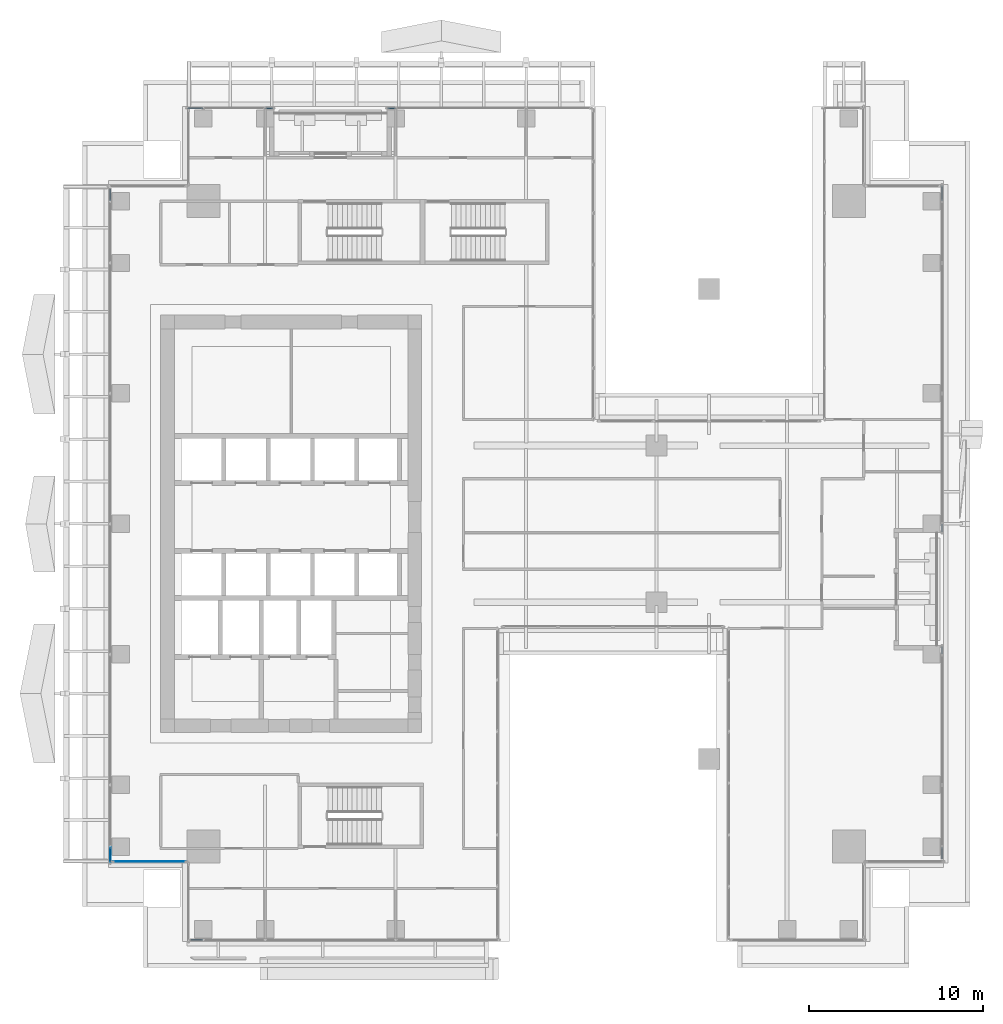
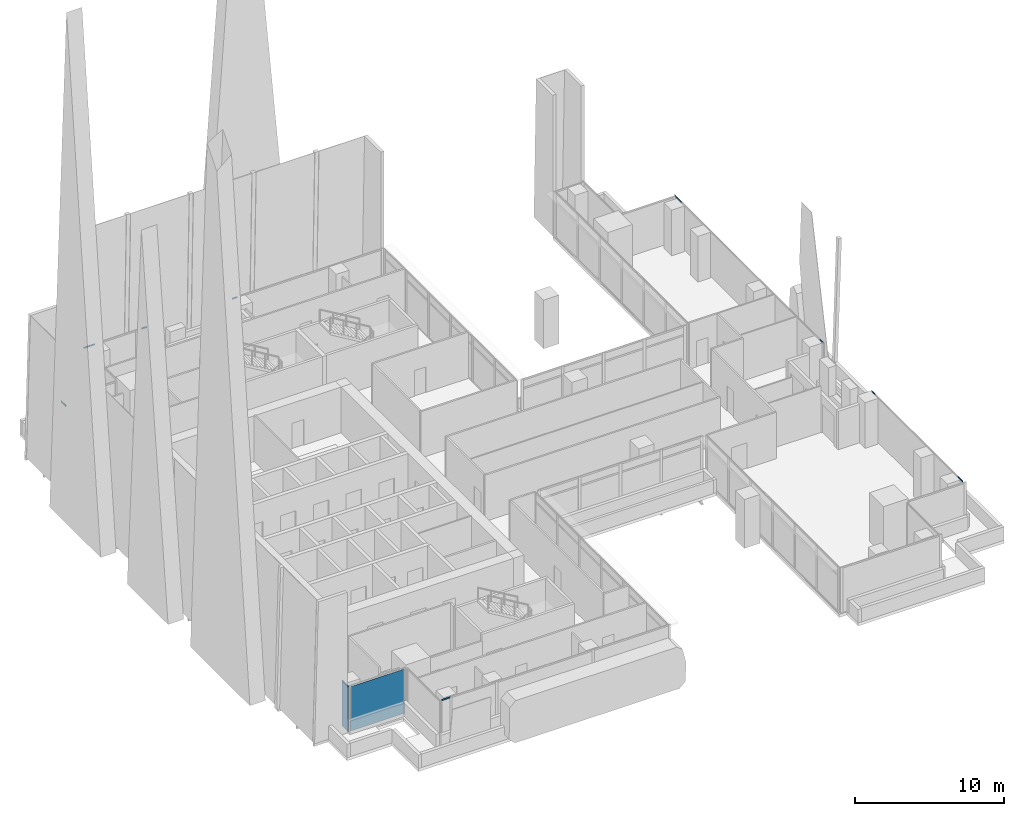
# One storey, part 27 of 43: 10 members, 2 plates, 7 elements without a shape of their own.
"""IFC4 building model written with IfcOpenShell, lengths in metres."""

import ifcopenshell
import ifcopenshell.guid

model = None  # the IFC model being written
_history = None  # IfcOwnerHistory: only IFC2X3 demands one
_inside = {}  # id of a spatial element -> (the spatial element, [elements in it])
_under = {}  # id of a project, library or spatial element -> (it, [spatial elements below it])
_declared = {}  # id of a project -> (the project, [libraries it declares])
_typed = {}  # id of a type object -> (the type object, [elements of that type])
_made_of = {}  # id of a material, layer set ... -> (it, [elements and type objects made of it])


def new_model(schema):
    """Start an empty IFC model of exactly this schema.

    Asked for "IFC4X3", IfcOpenShell would pick the latest addendum, in which some entities
    have other attributes; the version numbers below select the first issue.
    IFC2X3 requires an IfcOwnerHistory on every rooted entity: one is made here for all.
    """
    global model, _history
    if schema == "IFC4X3":
        model = ifcopenshell.file(schema_version=(4, 3, 0, 0))
    else:
        model = ifcopenshell.file(schema=schema)
    _inside.clear()
    _under.clear()
    _declared.clear()
    _typed.clear()
    _made_of.clear()
    _history = None
    if model.schema == "IFC2X3":
        org = make("IfcOrganization", Name="unknown")
        user = make(
            "IfcPersonAndOrganization",
            ThePerson=make("IfcPerson", FamilyName="unknown"),
            TheOrganization=org,
        )
        app = make(
            "IfcApplication",
            ApplicationDeveloper=org,
            Version="unknown",
            ApplicationFullName="unknown",
            ApplicationIdentifier="unknown",
        )
        _history = make(
            "IfcOwnerHistory",
            OwningUser=user,
            OwningApplication=app,
            ChangeAction="ADDED",
            CreationDate=0,
        )
    return model


def make(cls, **values):
    """One entity of the class cls with the attributes given. An attribute that is None is left unset."""
    return model.create_entity(
        cls, **{name: value for name, value in values.items() if value is not None}
    )


def rooted(cls, **values):
    """An entity with a GlobalId (a new one), such as an element, a storey or a relation."""
    return make(cls, GlobalId=ifcopenshell.guid.new(), OwnerHistory=_history, **values)


def si_unit(unit_type, name, prefix=None):
    """IfcSIUnit, for example si_unit("LENGTHUNIT", "METRE", prefix="MILLI")."""
    return make("IfcSIUnit", UnitType=unit_type, Prefix=prefix, Name=name)


def assignment(units):
    """IfcUnitAssignment: the units of a project."""
    return None if units is None else make("IfcUnitAssignment", Units=units)


def point(xyz):
    """IfcCartesianPoint."""
    return None if xyz is None else make("IfcCartesianPoint", Coordinates=xyz)


def direction(xyz):
    """IfcDirection."""
    return None if xyz is None else make("IfcDirection", DirectionRatios=xyz)


def frame(location, z_axis=None, x_axis=None):
    """IfcAxis2Placement3D, a coordinate frame: its origin and axes. An axis left out is left unset."""
    return make(
        "IfcAxis2Placement3D",
        Location=point(location),
        Axis=direction(z_axis),
        RefDirection=direction(x_axis),
    )


def frame_2d(location, x_axis=None):
    """IfcAxis2Placement2D, a coordinate frame in the plane: its origin and x axis."""
    return make(
        "IfcAxis2Placement2D", Location=point(location), RefDirection=direction(x_axis)
    )


def origin():
    """The frame at (0, 0, 0) with its axes left unset."""
    return frame((0.0, 0.0, 0.0))


def origin_2d():
    """The frame at (0, 0) in the plane with its x axis left unset."""
    return frame_2d((0.0, 0.0))


def place(relative_to, where):
    """IfcLocalPlacement: puts the frame where relative to a parent placement (None: the world)."""
    return make(
        "IfcLocalPlacement", PlacementRelTo=relative_to, RelativePlacement=where
    )


def context(
    kind, dimensions, precision=None, world=None, true_north=None, identifier=None
):
    """IfcGeometricRepresentationContext, for example the 3D "Model" context."""
    return make(
        "IfcGeometricRepresentationContext",
        ContextIdentifier=identifier,
        ContextType=kind,
        CoordinateSpaceDimension=dimensions,
        Precision=precision,
        WorldCoordinateSystem=world,
        TrueNorth=true_north,
    )


def subcontext(parent, identifier, kind, view, scale=None):
    """IfcGeometricRepresentationSubContext, for example "Body" below "Model"."""
    return make(
        "IfcGeometricRepresentationSubContext",
        ContextIdentifier=identifier,
        ContextType=kind,
        ParentContext=parent,
        TargetScale=scale,
        TargetView=view,
    )


def project(units=None, contexts=None):
    """IfcProject with its units and contexts."""
    return rooted(
        "IfcProject",
        Name="project",
        RepresentationContexts=contexts,
        UnitsInContext=assignment(units),
    )


def spatial(cls, under=None, at=None, **own):
    """A site, building, storey or space (cls), placed at a placement, below another one or the project."""
    s = rooted(cls, ObjectPlacement=at, **own)
    if under is not None:
        _under.setdefault(under.id(), (under, []))[1].append(s)
    return s


def profile(cls, at=None, kind="AREA", **sizes):
    """A parametric profile (cls). Its sizes go by their IFC names, for example OverallWidth=200.0."""
    return make(cls, ProfileType=kind, Position=at, **sizes)


def rectangle(**sizes):
    """IfcRectangleProfileDef."""
    return profile("IfcRectangleProfileDef", **sizes)


def hollow_rectangle(**sizes):
    """IfcRectangleHollowProfileDef."""
    return profile("IfcRectangleHollowProfileDef", **sizes)


def extrude(swept, where, along, depth):
    """IfcExtrudedAreaSolid: the profile swept, set in the frame where, extruded along a direction by depth."""
    return make(
        "IfcExtrudedAreaSolid",
        SweptArea=swept,
        Position=where,
        ExtrudedDirection=direction(along),
        Depth=depth,
    )


def shape(context_of_items, identifier, shape_type, items):
    """IfcShapeRepresentation: the items that make up one representation, for example the "Body"."""
    return make(
        "IfcShapeRepresentation",
        ContextOfItems=context_of_items,
        RepresentationIdentifier=identifier,
        RepresentationType=shape_type,
        Items=items,
    )


def source(mapping_origin, context_of_items, identifier, shape_type, items):
    """IfcRepresentationMap: a shape defined once, which mapped items show again and again."""
    return make(
        "IfcRepresentationMap",
        MappingOrigin=mapping_origin,
        MappedRepresentation=shape(context_of_items, identifier, shape_type, items),
    )


def transform(
    local_origin,
    x_axis=None,
    y_axis=None,
    z_axis=None,
    scale=None,
    scale2=None,
    scale3=None,
    uniform=True,
):
    """IfcCartesianTransformationOperator3D, or its non-uniform kind. x_axis, y_axis, z_axis: its Axis1, 2, 3."""
    if uniform:
        return make(
            "IfcCartesianTransformationOperator3D",
            Axis1=direction(x_axis),
            Axis2=direction(y_axis),
            LocalOrigin=point(local_origin),
            Scale=scale,
            Axis3=direction(z_axis),
        )
    return make(
        "IfcCartesianTransformationOperator3DnonUniform",
        Axis1=direction(x_axis),
        Axis2=direction(y_axis),
        LocalOrigin=point(local_origin),
        Scale=scale,
        Axis3=direction(z_axis),
        Scale2=scale2,
        Scale3=scale3,
    )


def mapped(mapping_source, mapping_target):
    """IfcMappedItem: shows the shape of a source again, moved by a transform."""
    return make(
        "IfcMappedItem", MappingSource=mapping_source, MappingTarget=mapping_target
    )


def material(Name=None, Category=None):
    """IfcMaterial."""
    return make("IfcMaterial", Name=Name, Category=Category)


def layer(
    of_material, thickness, ventilated=None, Name=None, Category=None, Priority=None
):
    """IfcMaterialLayer: one layer of a wall or slab, of a material (None: an air gap)."""
    return make(
        "IfcMaterialLayer",
        Material=of_material,
        LayerThickness=thickness,
        IsVentilated=ventilated,
        Name=Name,
        Category=Category,
        Priority=Priority,
    )


def layer_set(layers, Name=None):
    """IfcMaterialLayerSet."""
    return make("IfcMaterialLayerSet", MaterialLayers=layers, LayerSetName=Name)


def material_profile(
    of_material, cross_section, Name=None, Category=None, Priority=None
):
    """IfcMaterialProfile: a cross section and its material."""
    return make(
        "IfcMaterialProfile",
        Name=Name,
        Material=of_material,
        Profile=cross_section,
        Priority=Priority,
        Category=Category,
    )


def profile_set(profiles, Name=None, composite=None):
    """IfcMaterialProfileSet."""
    return make(
        "IfcMaterialProfileSet",
        Name=Name,
        MaterialProfiles=profiles,
        CompositeProfile=composite,
    )


def made_of(thing, what):
    """Note that an element or type object is made of a material, layer set ...; save() writes the relation."""
    if what is not None:
        _made_of.setdefault(what.id(), (what, []))[1].append(thing)
    return thing


def type_object(cls, material=None, **own):
    """A type object (cls), such as IfcWallType, which elements share."""
    return made_of(rooted(cls, **own), material)


def element(
    cls,
    number,
    at=None,
    inside=None,
    cuts=None,
    type_object=None,
    material=None,
    context=None,
    identifier="Body",
    shape_type=None,
    held_by="IfcProductDefinitionShape",
    body=None,
    shapes=None,
    **own,
):
    """One element of the class cls, such as IfcWall. Its Tag is "e" and its number.

    at: its placement. inside: the storey or other place that contains it. cuts: it is an
    opening in that element (IfcRelVoidsElement). A single representation is given by context,
    identifier, shape_type and body (its items); several are given by shapes. held_by: the class
    of the entity that holds the representations. save() writes the other relations.
    """
    e = rooted(cls, Tag="e%d" % number, ObjectPlacement=at, **own)
    if body is not None:
        shapes = [shape(context, identifier, shape_type, body)]
    if shapes is not None:
        e.Representation = make(held_by, Representations=shapes)
    if inside is not None:
        _inside.setdefault(inside.id(), (inside, []))[1].append(e)
    if cuts is not None:
        rooted(
            "IfcRelVoidsElement", RelatingBuildingElement=cuts, RelatedOpeningElement=e
        )
    if type_object is not None:
        _typed.setdefault(type_object.id(), (type_object, []))[1].append(e)
    return made_of(e, material)


def aggregate(whole, parts):
    """IfcRelAggregates: a whole, such as a stair, and the parts it consists of."""
    return rooted("IfcRelAggregates", RelatingObject=whole, RelatedObjects=parts)


def save(model, path):
    """Write the relations noted so far, then the file.

    IfcRelAggregates (storeys below a building ...), IfcRelContainedInSpatialStructure (elements
    in a storey), IfcRelDefinesByType, IfcRelAssociatesMaterial and IfcRelDeclares: one each for
    every whole, place, type object, material and project.
    """
    for whole, parts in _under.values():
        aggregate(whole, parts)
    for where, things in _inside.values():
        rooted(
            "IfcRelContainedInSpatialStructure",
            RelatedElements=things,
            RelatingStructure=where,
        )
    for kind, things in _typed.values():
        rooted("IfcRelDefinesByType", RelatedObjects=things, RelatingType=kind)
    for what, things in _made_of.values():
        rooted("IfcRelAssociatesMaterial", RelatedObjects=things, RelatingMaterial=what)
    for by, libraries in _declared.values():
        rooted("IfcRelDeclares", RelatingContext=by, RelatedDefinitions=libraries)
    model.write(path)


model = new_model("IFC4")

# Units and contexts
model_context = context("Model", 3, precision=1e-05, world=origin(), true_north=direction((0.0, 1.0)))
body_context = subcontext(model_context, "Body", "Model", "MODEL_VIEW")
ifc_project = project(units=[si_unit("LENGTHUNIT", "METRE"), si_unit("AREAUNIT", "SQUARE_METRE"), si_unit("VOLUMEUNIT", "CUBIC_METRE"), si_unit("PLANEANGLEUNIT", "RADIAN"), si_unit("MASSUNIT", "GRAM", prefix="KILO")], contexts=[model_context])

# Site, building, storey
site_placement = place(None, origin())
site = spatial("IfcSite", under=ifc_project, at=site_placement, CompositionType="ELEMENT")
building_placement = place(site_placement, origin())
building = spatial("IfcBuilding", under=site, at=building_placement, Name="Khomas Fold Tower", CompositionType="ELEMENT")
storey_placement = place(building_placement, frame((0.0, 0.0, 164.699951171875)))
storey = spatial("IfcBuildingStorey", under=building, at=storey_placement, Name="L35", CompositionType="ELEMENT", Elevation=164.699951171875)

# Curtain wall, member
ifc_material_1 = material(Name="Aluminium framed double glazing", Category="aluminium")
curtain_wall_type = type_object("IfcCurtainWallType", Name="SK-Unitised clear-glass wall, office floors CW2", PredefinedType="NOTDEFINED", material=ifc_material_1)
curtain_wall_1_placement = place(storey_placement, origin())
curtain_wall_1 = element("IfcCurtainWall", 1, at=curtain_wall_1_placement, inside=storey, type_object=curtain_wall_type, Name="CW2 run L35 01-0", PredefinedType="NOTDEFINED")
ifc_material_2 = material(Name="Aluminium", Category="aluminium")
ifc_material_profile = material_profile(ifc_material_2, hollow_rectangle(XDim=0.050048828125, YDim=0.110107421875, WallThickness=0.00390625, at=origin_2d()), Name="SK-Unitised clear-glass wall, office floors transom CW2-T")
ifc_profile_set = profile_set([ifc_material_profile], Name="Aluminium")
member_type = type_object("IfcMemberType", Name="SK-Unitised clear-glass wall, office floors transom CW2-T", PredefinedType="USERDEFINED", material=ifc_profile_set)
shared_shape_1 = source(origin(), body_context, "Body", "SweptSolid", [
    extrude(hollow_rectangle(XDim=0.050048828125, YDim=0.110107421875, WallThickness=0.00390625, at=origin_2d()), origin(), (0.0, 0.0, 1.0), 0.659912109375),
])
member_1_placement = place(storey_placement, frame((7.760009765625, 3.10009765625, 3.695068359375), z_axis=(1.0, 0.0, 0.0), x_axis=(0.0, 1.0, 0.0)))
member_1 = element("IfcMember", 2, at=member_1_placement, type_object=member_type, Name="CW2 transom 1", ObjectType="TRANSOM", PredefinedType="USERDEFINED", context=body_context, shape_type="MappedRepresentation", body=[
    mapped(shared_shape_1, transform((0.0, 0.0, 0.0))),
])
aggregate(curtain_wall_1, [member_1])

curtain_wall_2_placement = place(storey_placement, origin())
curtain_wall_2 = element("IfcCurtainWall", 3, at=curtain_wall_2_placement, inside=storey, type_object=curtain_wall_type, Name="CW2 run L35 08-0", PredefinedType="NOTDEFINED")
member_2_placement = place(storey_placement, frame((50.89990234375, 7.760009765625, 3.695068359375), z_axis=(0.0, 1.0, 0.0), x_axis=(-1.0, 0.0, 0.0)))
member_2 = element("IfcMember", 4, at=member_2_placement, type_object=member_type, Name="CW2 transom 1", ObjectType="TRANSOM", PredefinedType="USERDEFINED", context=body_context, shape_type="MappedRepresentation", body=[
    mapped(shared_shape_1, transform((0.0, 0.0, 0.0))),
])

curtain_wall_3_placement = place(storey_placement, origin())
curtain_wall_3 = element("IfcCurtainWall", 5, at=curtain_wall_3_placement, inside=storey, type_object=curtain_wall_type, Name="CW2 run L35 18-0", PredefinedType="NOTDEFINED")
member_3_placement = place(storey_placement, frame((3.10009765625, 46.239990234375, 3.695068359375), z_axis=(0.0, -1.0, 0.0), x_axis=(1.0, 0.0, 0.0)))
member_3 = element("IfcMember", 6, at=member_3_placement, type_object=member_type, Name="CW2 transom 1", ObjectType="TRANSOM", PredefinedType="USERDEFINED", context=body_context, shape_type="MappedRepresentation", body=[
    mapped(shared_shape_1, transform((0.0, 0.0, 0.0))),
])

# Member
shared_shape_2 = source(origin(), body_context, "Body", "SweptSolid", [
    extrude(hollow_rectangle(XDim=0.050048828125, YDim=0.110107421875, WallThickness=0.00390625, at=origin_2d()), origin(), (0.0, 0.0, 1.0), 0.409912109375),
])
member_4_placement = place(storey_placement, frame((50.89990234375, 19.530029296875, 3.695068359375), z_axis=(0.0, 1.0, 0.0), x_axis=(-1.0, 0.0, 0.0)))
member_4 = element("IfcMember", 7, at=member_4_placement, type_object=member_type, Name="CW2 transom 4", ObjectType="TRANSOM", PredefinedType="USERDEFINED", context=body_context, shape_type="MappedRepresentation", body=[
    mapped(shared_shape_2, transform((0.0, 0.0, 0.0))),
])

aggregate(curtain_wall_2, [member_2, member_4])

# Curtain wall, member
curtain_wall_4_placement = place(storey_placement, origin())
curtain_wall_4 = element("IfcCurtainWall", 8, at=curtain_wall_4_placement, inside=storey, type_object=curtain_wall_type, Name="CW2 run L35 08-1", PredefinedType="NOTDEFINED")
member_5_placement = place(storey_placement, frame((50.89990234375, 26.56005859375, 3.695068359375), z_axis=(0.0, 1.0, 0.0), x_axis=(-1.0, 0.0, 0.0)))
member_5 = element("IfcMember", 9, at=member_5_placement, type_object=member_type, Name="CW2 transom 1", ObjectType="TRANSOM", PredefinedType="USERDEFINED", context=body_context, shape_type="MappedRepresentation", body=[
    mapped(shared_shape_2, transform((0.0, 0.0, 0.0))),
])

curtain_wall_5_placement = place(storey_placement, origin())
curtain_wall_5 = element("IfcCurtainWall", 10, at=curtain_wall_5_placement, inside=storey, type_object=curtain_wall_type, Name="CW2 run L35 15-0", PredefinedType="NOTDEFINED")
member_6_placement = place(storey_placement, frame((19.469970703125, 50.89990234375, 3.695068359375), z_axis=(-1.0, 0.0, 0.0), x_axis=(0.0, -1.0, 0.0)))
member_6 = element("IfcMember", 11, at=member_6_placement, type_object=member_type, Name="CW2 transom 3", ObjectType="TRANSOM", PredefinedType="USERDEFINED", context=body_context, shape_type="MappedRepresentation", body=[
    mapped(shared_shape_2, transform((0.0, 0.0, 0.0))),
])
aggregate(curtain_wall_5, [member_6])

curtain_wall_6_placement = place(storey_placement, origin())
curtain_wall_6 = element("IfcCurtainWall", 12, at=curtain_wall_6_placement, inside=storey, type_object=curtain_wall_type, Name="CW2 run L35 15-1", PredefinedType="NOTDEFINED")
member_7_placement = place(storey_placement, frame((12.43994140625, 50.89990234375, 3.695068359375), z_axis=(-1.0, 0.0, 0.0), x_axis=(0.0, -1.0, 0.0)))
member_7 = element("IfcMember", 13, at=member_7_placement, type_object=member_type, Name="CW2 transom 1", ObjectType="TRANSOM", PredefinedType="USERDEFINED", context=body_context, shape_type="MappedRepresentation", body=[
    mapped(shared_shape_2, transform((0.0, 0.0, 0.0))),
])

# Member
shared_shape_3 = source(origin(), body_context, "Body", "SweptSolid", [
    extrude(hollow_rectangle(XDim=0.050048828125, YDim=0.110107421875, WallThickness=0.00390625, at=origin_2d()), origin(), (0.0, 0.0, 1.0), 0.85986328125),
])
member_8_placement = place(storey_placement, frame((50.89990234375, 45.580078125, 3.695068359375), z_axis=(0.0, 1.0, 0.0), x_axis=(-1.0, 0.0, 0.0)))
member_8 = element("IfcMember", 14, at=member_8_placement, type_object=member_type, Name="CW2 transom 5", ObjectType="TRANSOM", PredefinedType="USERDEFINED", context=body_context, shape_type="MappedRepresentation", body=[
    mapped(shared_shape_3, transform((0.0, 0.0, 0.0))),
])

aggregate(curtain_wall_4, [member_5, member_8])

member_9_placement = place(storey_placement, frame((8.419921875, 50.89990234375, 3.695068359375), z_axis=(-1.0, 0.0, 0.0), x_axis=(0.0, -1.0, 0.0)))
member_9 = element("IfcMember", 15, at=member_9_placement, type_object=member_type, Name="CW2 transom 3", ObjectType="TRANSOM", PredefinedType="USERDEFINED", context=body_context, shape_type="MappedRepresentation", body=[
    mapped(shared_shape_3, transform((0.0, 0.0, 0.0))),
])

aggregate(curtain_wall_6, [member_7, member_9])

member_10_placement = place(storey_placement, frame((3.10009765625, 8.419921875, 3.695068359375), z_axis=(0.0, -1.0, 0.0), x_axis=(1.0, 0.0, 0.0)))
member_10 = element("IfcMember", 16, at=member_10_placement, type_object=member_type, Name="CW2 transom 8", ObjectType="TRANSOM", PredefinedType="USERDEFINED", context=body_context, shape_type="MappedRepresentation", body=[
    mapped(shared_shape_3, transform((0.0, 0.0, 0.0))),
])

# Curtain wall, plate
curtain_wall_7_placement = place(storey_placement, origin())
curtain_wall_7 = element("IfcCurtainWall", 17, at=curtain_wall_7_placement, inside=storey, type_object=curtain_wall_type, Name="CW2 corner return L35 19", PredefinedType="NOTDEFINED")
ifc_material_3 = material(Name="Clear double glazed unit")
ifc_layer = layer(ifc_material_3, 0.030029296875)
ifc_layer_set = layer_set([ifc_layer], Name="Clear double glazed unit")
plate_type = type_object("IfcPlateType", Name="SK-Unitised clear-glass wall, office floors glass panel CW2-P", PredefinedType="CURTAIN_PANEL", material=ifc_layer_set)
shared_shape_4 = source(origin(), body_context, "Body", "SweptSolid", [
    extrude(rectangle(XDim=4.179931640625, YDim=0.030029296875, at=origin_2d()), origin(), (0.0, 0.0, 1.0), 3.639892578125),
])
plate_1_placement = place(storey_placement, frame((5.35009765625, 7.60009765625, 0.0), z_axis=(0.0, 0.0, 1.0), x_axis=(1.0, 0.0, 0.0)))
plate_1 = element("IfcPlate", 18, at=plate_1_placement, type_object=plate_type, Name="CW2 glass panel 1", PredefinedType="CURTAIN_PANEL", context=body_context, shape_type="MappedRepresentation", body=[
    mapped(shared_shape_4, transform((0.0, 0.0, 0.0))),
])
aggregate(curtain_wall_7, [plate_1])

# Plate
shared_shape_5 = source(origin(), body_context, "Body", "SweptSolid", [
    extrude(rectangle(XDim=0.860107421875, YDim=0.030029296875, at=origin_2d()), origin(), (0.0, 0.0, 1.0), 3.639892578125),
])
plate_2_placement = place(storey_placement, frame((3.10009765625, 7.989990234375, 0.0), z_axis=(0.0, 0.0, 1.0), x_axis=(0.0, -1.0, 0.0)))
plate_2 = element("IfcPlate", 19, at=plate_2_placement, type_object=plate_type, Name="CW2 glass panel 8", PredefinedType="CURTAIN_PANEL", context=body_context, shape_type="MappedRepresentation", body=[
    mapped(shared_shape_5, transform((0.0, 0.0, 0.0))),
])

aggregate(curtain_wall_3, [member_3, member_10, plate_2])

save(model, "model.ifc")
